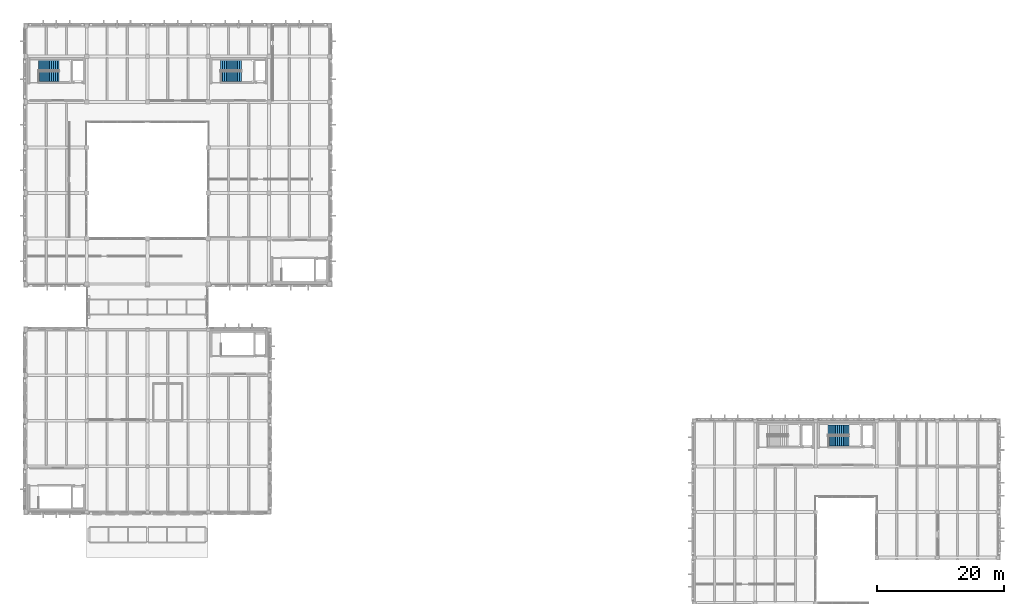
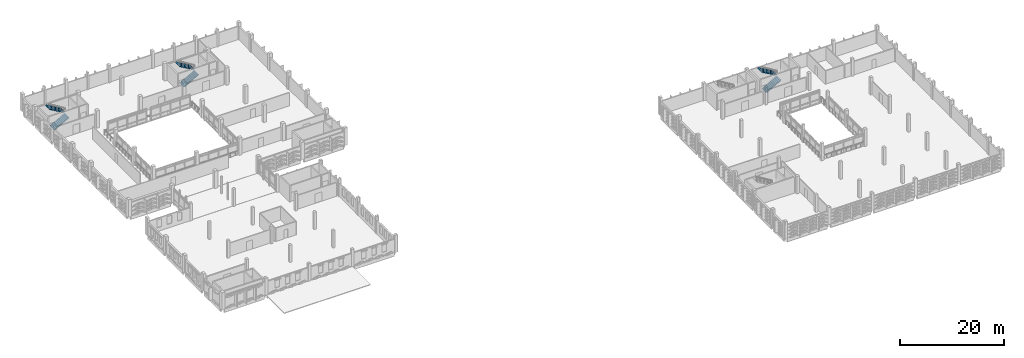
# One storey, part 59 of 72: 6 stair flights, 3 elements without a shape of their own.
"""IFC4 building model written with IfcOpenShell, lengths in metres."""

from ifc_helpers import new_model, si_unit, direction, frame, origin, place, context, subcontext, project, spatial, polyline, outline, extrude, material, layer, layer_set, type_object, element, aggregate, save


model = new_model("IFC4")

# Units and contexts
model_context = context("Model", 3, precision=1e-05, world=origin(), true_north=direction((0.0, 1.0)))
body_context = subcontext(model_context, "Body", "Model", "MODEL_VIEW")
ifc_project = project(units=[si_unit("LENGTHUNIT", "METRE"), si_unit("AREAUNIT", "SQUARE_METRE"), si_unit("VOLUMEUNIT", "CUBIC_METRE"), si_unit("PLANEANGLEUNIT", "RADIAN"), si_unit("MASSUNIT", "GRAM", prefix="KILO")], contexts=[model_context])

# Site, building, storey
site_placement = place(None, origin())
site = spatial("IfcSite", under=ifc_project, at=site_placement, CompositionType="ELEMENT")
building_placement = place(site_placement, origin())
building = spatial("IfcBuilding", under=site, at=building_placement, Name="Asteropetra Specialist Clinic", CompositionType="ELEMENT")
storey_placement = place(building_placement, frame((0.0, 0.0, 12.580078125)))
storey = spatial("IfcBuildingStorey", under=building, at=storey_placement, Name="L03", CompositionType="ELEMENT", Elevation=12.580078125)

# Stair, stair flights
ifc_material_1 = material(Name="Concrete C35/45", Category="concrete")
stair_type = type_object("IfcStairType", Name="STR-DOG-165", PredefinedType="TWO_STRAIGHT_RUN_STAIR", material=ifc_material_1)
stair_1_placement = place(storey_placement, origin())
stair_1 = element("IfcStair", 1, at=stair_1_placement, inside=storey, type_object=stair_type, Name="Type I Stair ST01-L03", PredefinedType="TWO_STRAIGHT_RUN_STAIR")
ifc_material_2 = material(Name="Concrete C35/45", Category="concrete")
ifc_layer = layer(ifc_material_2, 0.179931640625)
ifc_layer_set = layer_set([ifc_layer], Name="Concrete C35/45")
stair_flight_type = type_object("IfcStairFlightType", Name="SFL-STR-165", PredefinedType="STRAIGHT", material=ifc_layer_set)
stair_flight_1_placement = place(storey_placement, frame((1.949951171875, 102.445068359375, 0.0), z_axis=(0.0, 0.0, 1.0), x_axis=(1.0, 0.0, 0.0)))
stair_flight_1 = element("IfcStairFlight", 2, at=stair_flight_1_placement, type_object=stair_flight_type, Name="ST01-L03 flight 1", NumberOfRisers=12, NumberOfTreads=11, PredefinedType="STRAIGHT", RiserHeight=0.17, TreadLength=0.3, context=body_context, shape_type="SweptSolid", body=[
    extrude(outline(polyline([(0.0, 0.0), (0.0, 0.169921875), (0.300048828125, 0.169921875), (0.300048828125, 0.340087890625), (0.60009765625, 0.340087890625), (0.60009765625, 0.510009765625), (0.89990234375, 0.510009765625), (0.89990234375, 0.679931640625), (1.199951171875, 0.679931640625), (1.199951171875, 0.85009765625), (1.5, 0.85009765625), (1.5, 1.02001953125), (1.800048828125, 1.02001953125), (1.800048828125, 1.18994140625), (2.10009765625, 1.18994140625), (2.10009765625, 1.360107421875), (2.39990234375, 1.360107421875), (2.39990234375, 1.530029296875), (2.699951171875, 1.530029296875), (2.699951171875, 1.699951171875), (3.0, 1.699951171875), (3.0, 1.8701171875), (3.300048828125, 1.8701171875), (3.300048828125, 2.0400390625), (3.300048828125, 1.686279296875), (0.324462890625, 0.0), (0.0, 0.0)])), frame((0.0, 0.824951171875, 0.0), z_axis=(0.0, -1.0, 0.0), x_axis=(1.0, 0.0, 0.0)), (0.0, 0.0, 1.0), 1.64990234375),
])
stair_flight_2_placement = place(storey_placement, frame((5.25, 104.135009765625, 2.0400390625), z_axis=(0.0, 0.0, 1.0), x_axis=(-1.0, 0.0, 0.0)))
stair_flight_2 = element("IfcStairFlight", 3, at=stair_flight_2_placement, type_object=stair_flight_type, Name="ST01-L03 flight 2", NumberOfRisers=12, NumberOfTreads=11, PredefinedType="STRAIGHT", RiserHeight=0.17, TreadLength=0.3, context=body_context, shape_type="SweptSolid", body=[
    extrude(outline(polyline([(0.0, 0.0), (0.0, 0.169921875), (0.300048828125, 0.169921875), (0.300048828125, 0.340087890625), (0.60009765625, 0.340087890625), (0.60009765625, 0.510009765625), (0.89990234375, 0.510009765625), (0.89990234375, 0.679931640625), (1.199951171875, 0.679931640625), (1.199951171875, 0.85009765625), (1.5, 0.85009765625), (1.5, 1.02001953125), (1.800048828125, 1.02001953125), (1.800048828125, 1.18994140625), (2.10009765625, 1.18994140625), (2.10009765625, 1.360107421875), (2.39990234375, 1.360107421875), (2.39990234375, 1.530029296875), (2.699951171875, 1.530029296875), (2.699951171875, 1.699951171875), (3.0, 1.699951171875), (3.0, 1.8701171875), (3.300048828125, 1.8701171875), (3.300048828125, 2.0400390625), (3.300048828125, 1.686279296875), (0.324462890625, 0.0), (0.0, 0.0)])), frame((0.0, 0.824951171875, 0.0), z_axis=(0.0, -1.0, 0.0), x_axis=(1.0, 0.0, 0.0)), (0.0, 0.0, 1.0), 1.64990234375),
])
aggregate(stair_1, [stair_flight_1, stair_flight_2])

stair_2_placement = place(storey_placement, origin())
stair_2 = element("IfcStair", 4, at=stair_2_placement, inside=storey, type_object=stair_type, Name="Type I Stair ST02-L03", PredefinedType="TWO_STRAIGHT_RUN_STAIR")
stair_flight_3_placement = place(storey_placement, frame((30.75, 102.445068359375, 0.0), z_axis=(0.0, 0.0, 1.0), x_axis=(1.0, 0.0, 0.0)))
stair_flight_3 = element("IfcStairFlight", 5, at=stair_flight_3_placement, type_object=stair_flight_type, Name="ST02-L03 flight 1", NumberOfRisers=12, NumberOfTreads=11, PredefinedType="STRAIGHT", RiserHeight=0.17, TreadLength=0.3, context=body_context, shape_type="SweptSolid", body=[
    extrude(outline(polyline([(0.0, 0.0), (0.0, 0.169921875), (0.300048828125, 0.169921875), (0.300048828125, 0.340087890625), (0.60009765625, 0.340087890625), (0.60009765625, 0.510009765625), (0.89990234375, 0.510009765625), (0.89990234375, 0.679931640625), (1.199951171875, 0.679931640625), (1.199951171875, 0.85009765625), (1.5, 0.85009765625), (1.5, 1.02001953125), (1.800048828125, 1.02001953125), (1.800048828125, 1.18994140625), (2.10009765625, 1.18994140625), (2.10009765625, 1.360107421875), (2.39990234375, 1.360107421875), (2.39990234375, 1.530029296875), (2.699951171875, 1.530029296875), (2.699951171875, 1.699951171875), (3.0, 1.699951171875), (3.0, 1.8701171875), (3.300048828125, 1.8701171875), (3.300048828125, 2.0400390625), (3.300048828125, 1.686279296875), (0.324462890625, 0.0), (0.0, 0.0)])), frame((0.0, 0.824951171875, 0.0), z_axis=(0.0, -1.0, 0.0), x_axis=(1.0, 0.0, 0.0)), (0.0, 0.0, 1.0), 1.64990234375),
])
stair_flight_4_placement = place(storey_placement, frame((34.050048828125, 104.135009765625, 2.0400390625), z_axis=(0.0, 0.0, 1.0), x_axis=(-1.0, 0.0, 0.0)))
stair_flight_4 = element("IfcStairFlight", 6, at=stair_flight_4_placement, type_object=stair_flight_type, Name="ST02-L03 flight 2", NumberOfRisers=12, NumberOfTreads=11, PredefinedType="STRAIGHT", RiserHeight=0.17, TreadLength=0.3, context=body_context, shape_type="SweptSolid", body=[
    extrude(outline(polyline([(0.0, 0.0), (0.0, 0.169921875), (0.300048828125, 0.169921875), (0.300048828125, 0.340087890625), (0.60009765625, 0.340087890625), (0.60009765625, 0.510009765625), (0.89990234375, 0.510009765625), (0.89990234375, 0.679931640625), (1.199951171875, 0.679931640625), (1.199951171875, 0.85009765625), (1.5, 0.85009765625), (1.5, 1.02001953125), (1.800048828125, 1.02001953125), (1.800048828125, 1.18994140625), (2.10009765625, 1.18994140625), (2.10009765625, 1.360107421875), (2.39990234375, 1.360107421875), (2.39990234375, 1.530029296875), (2.699951171875, 1.530029296875), (2.699951171875, 1.699951171875), (3.0, 1.699951171875), (3.0, 1.8701171875), (3.300048828125, 1.8701171875), (3.300048828125, 2.0400390625), (3.300048828125, 1.686279296875), (0.324462890625, 0.0), (0.0, 0.0)])), frame((0.0, 0.824951171875, 0.0), z_axis=(0.0, -1.0, 0.0), x_axis=(1.0, 0.0, 0.0)), (0.0, 0.0, 1.0), 1.64990234375),
])
aggregate(stair_2, [stair_flight_3, stair_flight_4])

stair_3_placement = place(storey_placement, origin())
stair_3 = element("IfcStair", 7, at=stair_3_placement, inside=storey, type_object=stair_type, Name="Type I Stair ST09-L03", PredefinedType="TWO_STRAIGHT_RUN_STAIR")
stair_flight_5_placement = place(storey_placement, frame((126.75, 44.844970703125, 0.0), z_axis=(0.0, 0.0, 1.0), x_axis=(1.0, 0.0, 0.0)))
stair_flight_5 = element("IfcStairFlight", 8, at=stair_flight_5_placement, type_object=stair_flight_type, Name="ST09-L03 flight 1", NumberOfRisers=12, NumberOfTreads=11, PredefinedType="STRAIGHT", RiserHeight=0.17, TreadLength=0.3, context=body_context, shape_type="SweptSolid", body=[
    extrude(outline(polyline([(0.0, 0.0), (0.0, 0.169921875), (0.300048828125, 0.169921875), (0.300048828125, 0.340087890625), (0.60009765625, 0.340087890625), (0.60009765625, 0.510009765625), (0.89990234375, 0.510009765625), (0.89990234375, 0.679931640625), (1.199951171875, 0.679931640625), (1.199951171875, 0.85009765625), (1.5, 0.85009765625), (1.5, 1.02001953125), (1.800048828125, 1.02001953125), (1.800048828125, 1.18994140625), (2.10009765625, 1.18994140625), (2.10009765625, 1.360107421875), (2.39990234375, 1.360107421875), (2.39990234375, 1.530029296875), (2.699951171875, 1.530029296875), (2.699951171875, 1.699951171875), (3.0, 1.699951171875), (3.0, 1.8701171875), (3.300048828125, 1.8701171875), (3.300048828125, 2.0400390625), (3.300048828125, 1.686279296875), (0.324462890625, 0.0), (0.0, 0.0)])), frame((0.0, 0.824951171875, 0.0), z_axis=(0.0, -1.0, 0.0), x_axis=(1.0, 0.0, 0.0)), (0.0, 0.0, 1.0), 1.64990234375),
])
stair_flight_6_placement = place(storey_placement, frame((130.050048828125, 46.534912109375, 2.0400390625), z_axis=(0.0, 0.0, 1.0), x_axis=(-1.0, 0.0, 0.0)))
stair_flight_6 = element("IfcStairFlight", 9, at=stair_flight_6_placement, type_object=stair_flight_type, Name="ST09-L03 flight 2", NumberOfRisers=12, NumberOfTreads=11, PredefinedType="STRAIGHT", RiserHeight=0.17, TreadLength=0.3, context=body_context, shape_type="SweptSolid", body=[
    extrude(outline(polyline([(0.0, 0.0), (0.0, 0.169921875), (0.300048828125, 0.169921875), (0.300048828125, 0.340087890625), (0.60009765625, 0.340087890625), (0.60009765625, 0.510009765625), (0.89990234375, 0.510009765625), (0.89990234375, 0.679931640625), (1.199951171875, 0.679931640625), (1.199951171875, 0.85009765625), (1.5, 0.85009765625), (1.5, 1.02001953125), (1.800048828125, 1.02001953125), (1.800048828125, 1.18994140625), (2.10009765625, 1.18994140625), (2.10009765625, 1.360107421875), (2.39990234375, 1.360107421875), (2.39990234375, 1.530029296875), (2.699951171875, 1.530029296875), (2.699951171875, 1.699951171875), (3.0, 1.699951171875), (3.0, 1.8701171875), (3.300048828125, 1.8701171875), (3.300048828125, 2.0400390625), (3.300048828125, 1.686279296875), (0.324462890625, 0.0), (0.0, 0.0)])), frame((0.0, 0.824951171875, 0.0), z_axis=(0.0, -1.0, 0.0), x_axis=(1.0, 0.0, 0.0)), (0.0, 0.0, 1.0), 1.64990234375),
])
aggregate(stair_3, [stair_flight_5, stair_flight_6])

save(model, "model.ifc")
